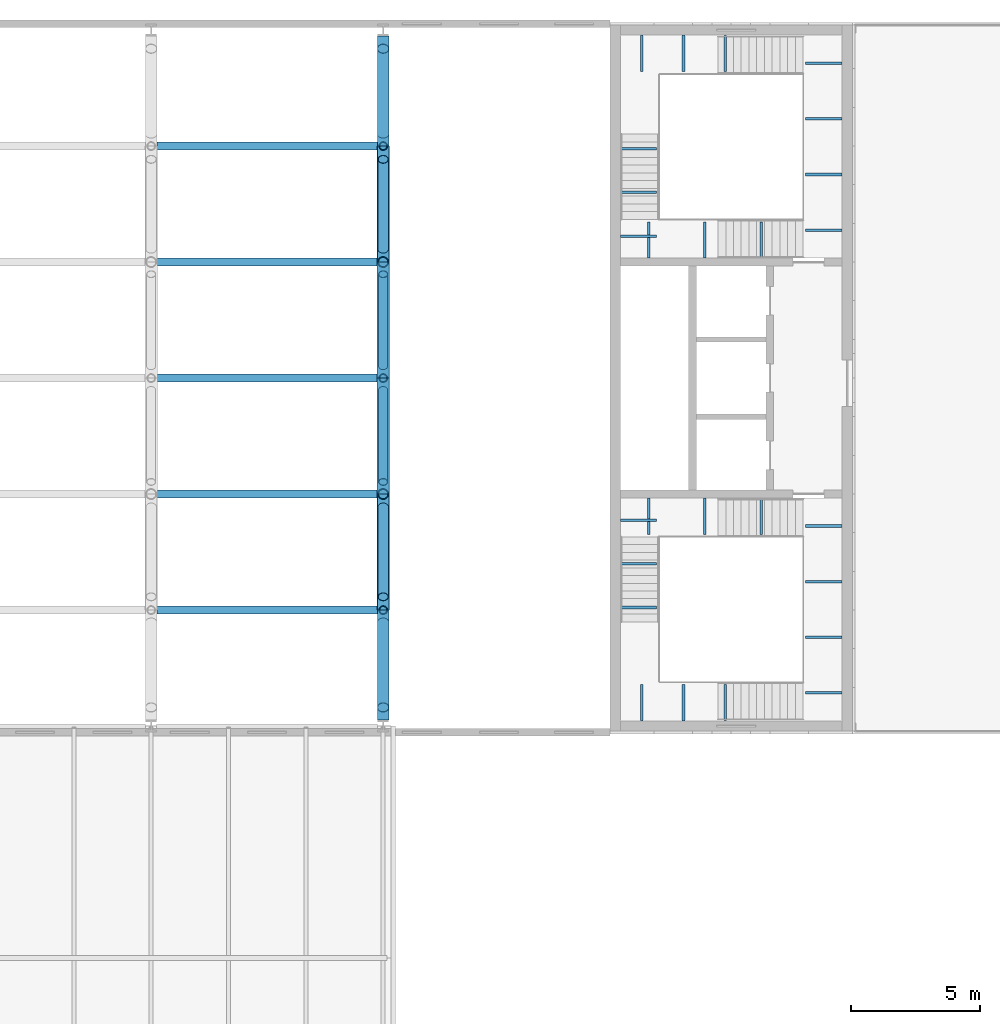
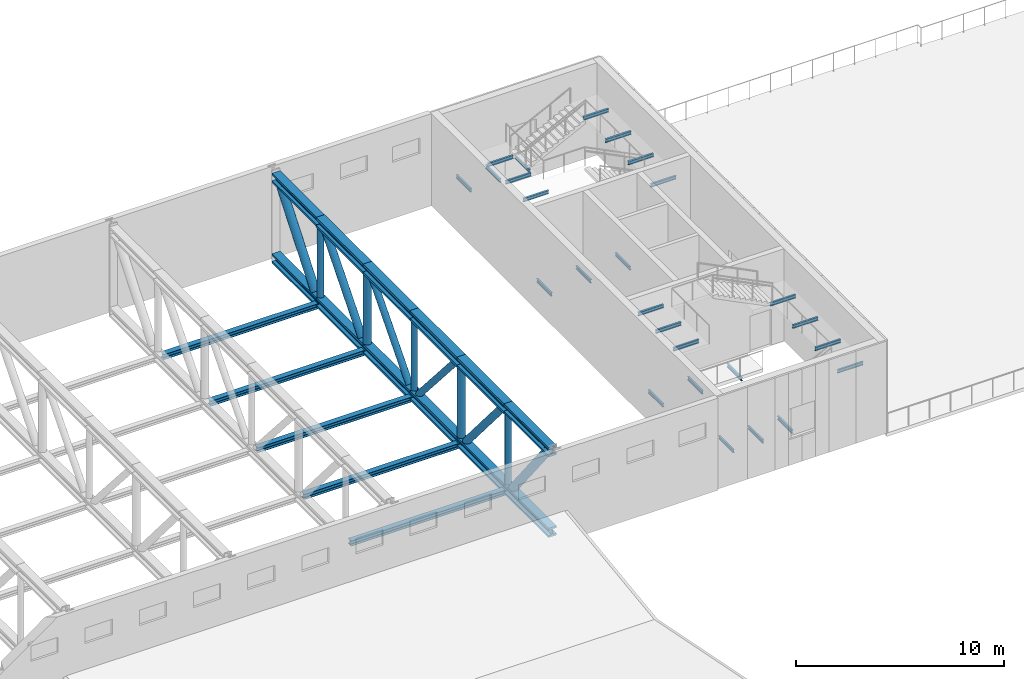
# One storey, part 19 of 29: 43 beams, 11 members.
"""IFC4 building model written with IfcOpenShell, lengths in metres."""

from ifc_helpers import new_model, si_unit, direction, frame, origin, origin_2d, place, context, subcontext, project, spatial, hollow_circle, i_section, extrude, material, material_profile, profile_set, type_object, element, save


model = new_model("IFC4")

# Units and contexts
model_context = context("Model", 3, precision=1e-05, world=origin(), true_north=direction((0.0, 1.0)))
body_context = subcontext(model_context, "Body", "Model", "MODEL_VIEW")
ifc_project = project(units=[si_unit("LENGTHUNIT", "METRE"), si_unit("AREAUNIT", "SQUARE_METRE"), si_unit("VOLUMEUNIT", "CUBIC_METRE"), si_unit("PLANEANGLEUNIT", "RADIAN"), si_unit("MASSUNIT", "GRAM", prefix="KILO")], contexts=[model_context])

# Site, building, storey
site_placement = place(None, origin())
site = spatial("IfcSite", under=ifc_project, at=site_placement, CompositionType="ELEMENT")
building_placement = place(site_placement, origin())
building = spatial("IfcBuilding", under=site, at=building_placement, Name="Azimuth Sports and Learning Centre", CompositionType="ELEMENT")
storey_placement = place(building_placement, frame((0.0, 0.0, 27.0)))
storey = spatial("IfcBuildingStorey", under=building, at=storey_placement, Name="L05", CompositionType="ELEMENT", Elevation=27.0)

# Beams
ifc_material_1 = material(Name="Steel S355", Category="steel")
ifc_material_profile_1 = material_profile(ifc_material_1, i_section(OverallWidth=0.300048828125, OverallDepth=0.300048828125, WebThickness=0.010986328125, FlangeThickness=0.01904296875, FilletRadius=0.027099609375, at=origin_2d()), Name="HEB 300")
ifc_profile_set_1 = profile_set([ifc_material_profile_1], Name="Steel S355")
beam_type_1 = type_object("IfcBeamType", Name="Beam HEB 300", PredefinedType="BEAM", material=ifc_profile_set_1)
beam_1_placement = place(storey_placement, frame((90.22705078125, 94.5, 0.14990234375), z_axis=(1.0, 0.0, 0.0), x_axis=(0.0, 1.0, 0.0)))
element("IfcBeam", 1, at=beam_1_placement, inside=storey, type_object=beam_type_1, Name="Transfer truss bracing strut 3", PredefinedType="BEAM", context=body_context, shape_type="SweptSolid", body=[
    extrude(i_section(OverallWidth=0.300048828125, OverallDepth=0.300048828125, WebThickness=0.010986328125, FlangeThickness=0.01904296875, FilletRadius=0.027099609375, at=origin_2d()), origin(), (0.0, 0.0, 1.0), 8.5458984375),
])
for number, where, z_axis, x_axis, name in (
    (2, (90.235595703125, 99.0, 0.14990234375), (1.0, 0.0, 0.0), (0.0, 1.0, 0.0), "Transfer truss bracing strut 6"),
    (3, (90.235595703125, 103.5, 0.14990234375), (1.0, 0.0, 0.0), (0.0, 1.0, 0.0), "Transfer truss bracing strut 9"),
    (4, (90.235595703125, 108.0, 0.14990234375), (1.0, 0.0, 0.0), (0.0, 1.0, 0.0), "Transfer truss bracing strut 12"),
):
    element("IfcBeam", number, at=place(storey_placement, frame(where, z_axis=z_axis, x_axis=x_axis)), inside=storey, type_object=beam_type_1, Name=name, PredefinedType="BEAM", context=body_context, shape_type="SweptSolid", body=[
        extrude(i_section(OverallWidth=0.300048828125, OverallDepth=0.300048828125, WebThickness=0.010986328125, FlangeThickness=0.01904296875, FilletRadius=0.027099609375, at=origin_2d()), origin(), (0.0, 0.0, 1.0), 8.52880859375),
    ])
beam_2_placement = place(storey_placement, frame((90.22705078125, 112.5, 0.14990234375), z_axis=(1.0, 0.0, 0.0), x_axis=(0.0, 1.0, 0.0)))
element("IfcBeam", 5, at=beam_2_placement, inside=storey, type_object=beam_type_1, Name="Transfer truss bracing strut 15", PredefinedType="BEAM", context=body_context, shape_type="SweptSolid", body=[
    extrude(i_section(OverallWidth=0.300048828125, OverallDepth=0.300048828125, WebThickness=0.010986328125, FlangeThickness=0.01904296875, FilletRadius=0.027099609375, at=origin_2d()), origin(), (0.0, 0.0, 1.0), 8.5458984375),
])
ifc_material_2 = material(Name="Steel S355", Category="steel")
ifc_material_profile_2 = material_profile(ifc_material_2, i_section(OverallWidth=0.10009765625, OverallDepth=0.199951171875, WebThickness=0.005615234375, FlangeThickness=0.008544921875, FilletRadius=0.011962890625, at=origin_2d()), Name="IPE 200")
ifc_profile_set_2 = profile_set([ifc_material_profile_2], Name="Steel S355")
beam_type_2 = type_object("IfcBeamType", Name="Beam IPE 200", PredefinedType="BEAM", material=ifc_profile_set_2)
for number, where, z_axis, x_axis, name in (
    (6, (109.300048828125, 98.85009765625, -0.300048828125), (0.0, -1.0, 0.0), (1.0, 0.0, 0.0), "Landing bracket E1 L05 402"),
    (7, (111.47998046875, 98.85009765625, -0.300048828125), (0.0, -1.0, 0.0), (1.0, 0.0, 0.0), "Landing bracket E1 L05 403"),
    (8, (113.659912109375, 98.85009765625, -0.300048828125), (0.0, -1.0, 0.0), (1.0, 0.0, 0.0), "Landing bracket E1 L05 404"),
    (9, (109.0234375, 90.199951171875, 1.5), (0.0, 1.0, 0.0), (-1.0, 0.0, 0.0), "Landing bracket E1 L05 405"),
    (10, (110.64990234375, 90.199951171875, 1.5), (0.0, 1.0, 0.0), (-1.0, 0.0, 0.0), "Landing bracket E1 L05 406"),
    (11, (112.276611328125, 90.199951171875, 1.5), (0.0, 1.0, 0.0), (-1.0, 0.0, 0.0), "Landing bracket E1 L05 407"),
    (12, (116.800048828125, 91.288818359375, 3.300048828125), (-1.0, 0.0, 0.0), (0.0, -1.0, 0.0), "Landing bracket E1 L05 408"),
    (13, (116.800048828125, 93.4462890625, 3.300048828125), (-1.0, 0.0, 0.0), (0.0, -1.0, 0.0), "Landing bracket E1 L05 409"),
    (14, (116.800048828125, 95.603759765625, 3.300048828125), (-1.0, 0.0, 0.0), (0.0, -1.0, 0.0), "Landing bracket E1 L05 410"),
    (15, (116.800048828125, 97.76123046875, 3.300048828125), (-1.0, 0.0, 0.0), (0.0, -1.0, 0.0), "Landing bracket E1 L05 411"),
    (16, (108.199951171875, 94.598388671875, 5.10009765625), (1.0, 0.0, 0.0), (0.0, 1.0, 0.0), "Landing bracket E1 L05 412"),
    (17, (108.199951171875, 96.294921875, 5.10009765625), (1.0, 0.0, 0.0), (0.0, 1.0, 0.0), "Landing bracket E1 L05 413"),
    (18, (108.199951171875, 97.99169921875, 5.10009765625), (1.0, 0.0, 0.0), (0.0, 1.0, 0.0), "Landing bracket E1 L05 414"),
    (19, (109.300048828125, 108.14990234375, -0.300048828125), (0.0, 1.0, 0.0), (-1.0, 0.0, 0.0), "Landing bracket E2 L05 580"),
    (20, (111.47998046875, 108.14990234375, -0.300048828125), (0.0, 1.0, 0.0), (-1.0, 0.0, 0.0), "Landing bracket E2 L05 581"),
    (21, (113.659912109375, 108.14990234375, -0.300048828125), (0.0, 1.0, 0.0), (-1.0, 0.0, 0.0), "Landing bracket E2 L05 582"),
    (22, (109.0234375, 116.800048828125, 1.5), (0.0, -1.0, 0.0), (1.0, 0.0, 0.0), "Landing bracket E2 L05 583"),
    (23, (110.64990234375, 116.800048828125, 1.5), (0.0, -1.0, 0.0), (1.0, 0.0, 0.0), "Landing bracket E2 L05 584"),
    (24, (112.276611328125, 116.800048828125, 1.5), (0.0, -1.0, 0.0), (1.0, 0.0, 0.0), "Landing bracket E2 L05 585"),
    (25, (116.800048828125, 109.23876953125, 3.300048828125), (-1.0, 0.0, 0.0), (0.0, -1.0, 0.0), "Landing bracket E2 L05 586"),
    (26, (116.800048828125, 111.396240234375, 3.300048828125), (-1.0, 0.0, 0.0), (0.0, -1.0, 0.0), "Landing bracket E2 L05 587"),
    (27, (116.800048828125, 113.5537109375, 3.300048828125), (-1.0, 0.0, 0.0), (0.0, -1.0, 0.0), "Landing bracket E2 L05 588"),
    (28, (116.800048828125, 115.711181640625, 3.300048828125), (-1.0, 0.0, 0.0), (0.0, -1.0, 0.0), "Landing bracket E2 L05 589"),
    (29, (108.199951171875, 109.00830078125, 5.10009765625), (1.0, 0.0, 0.0), (0.0, 1.0, 0.0), "Landing bracket E2 L05 590"),
    (30, (108.199951171875, 110.705078125, 5.10009765625), (1.0, 0.0, 0.0), (0.0, 1.0, 0.0), "Landing bracket E2 L05 591"),
    (31, (108.199951171875, 112.401611328125, 5.10009765625), (1.0, 0.0, 0.0), (0.0, 1.0, 0.0), "Landing bracket E2 L05 592"),
):
    element("IfcBeam", number, at=place(storey_placement, frame(where, z_axis=z_axis, x_axis=x_axis)), inside=storey, type_object=beam_type_2, Name=name, PredefinedType="BEAM", context=body_context, shape_type="SweptSolid", body=[
        extrude(i_section(OverallWidth=0.10009765625, OverallDepth=0.199951171875, WebThickness=0.005615234375, FlangeThickness=0.008544921875, FilletRadius=0.011962890625, at=origin_2d()), origin(), (0.0, 0.0, 1.0), 1.41015625),
    ])
ifc_material_3 = material(Name="Steel S460", Category="steel")
ifc_material_profile_3 = material_profile(ifc_material_3, i_section(OverallWidth=0.4541015625, OverallDepth=0.569091796875, WebThickness=0.077880859375, FlangeThickness=0.125, FilletRadius=0.014892578125, at=origin_2d()), Name="HD 400x1086")
ifc_profile_set_3 = profile_set([ifc_material_profile_3], Name="Steel S460")
beam_type_3 = type_object("IfcBeamType", Name="Truss chord HD 400x1086", PredefinedType="USERDEFINED", material=ifc_profile_set_3)
for number, where, z_axis, x_axis, name in (
    (32, (99.0, 94.5, 0.284423828125), (0.0, 1.0, 0.0), (-1.0, 0.0, 0.0), "Transfer truss TT-4 bottom chord 2"),
    (33, (99.0, 108.0, 0.284423828125), (0.0, 1.0, 0.0), (-1.0, 0.0, 0.0), "Transfer truss TT-4 bottom chord 5"),
):
    element("IfcBeam", number, at=place(storey_placement, frame(where, z_axis=z_axis, x_axis=x_axis)), inside=storey, type_object=beam_type_3, Name=name, ObjectType="TRUSS CHORD", PredefinedType="USERDEFINED", context=body_context, shape_type="SweptSolid", body=[
        extrude(i_section(OverallWidth=0.4541015625, OverallDepth=0.569091796875, WebThickness=0.077880859375, FlangeThickness=0.125, FilletRadius=0.014892578125, at=origin_2d()), origin(), (0.0, 0.0, 1.0), 4.5),
    ])
ifc_material_4 = material(Name="Steel S460", Category="steel")
ifc_material_profile_4 = material_profile(ifc_material_4, i_section(OverallWidth=0.470947265625, OverallDepth=0.580078125, WebThickness=0.094970703125, FlangeThickness=0.1298828125, FilletRadius=0.014892578125, at=origin_2d()), Name="HD 400x1202")
ifc_profile_set_4 = profile_set([ifc_material_profile_4], Name="Steel S460")
beam_type_4 = type_object("IfcBeamType", Name="Truss chord HD 400x1202", PredefinedType="USERDEFINED", material=ifc_profile_set_4)
for number, where, z_axis, x_axis, name in (
    (34, (99.0, 99.0, 0.2900390625), (0.0, 1.0, 0.0), (-1.0, 0.0, 0.0), "Transfer truss TT-4 bottom chord 3"),
    (35, (99.0, 103.5, 0.2900390625), (0.0, 1.0, 0.0), (-1.0, 0.0, 0.0), "Transfer truss TT-4 bottom chord 4"),
):
    element("IfcBeam", number, at=place(storey_placement, frame(where, z_axis=z_axis, x_axis=x_axis)), inside=storey, type_object=beam_type_4, Name=name, ObjectType="TRUSS CHORD", PredefinedType="USERDEFINED", context=body_context, shape_type="SweptSolid", body=[
        extrude(i_section(OverallWidth=0.470947265625, OverallDepth=0.580078125, WebThickness=0.094970703125, FlangeThickness=0.1298828125, FilletRadius=0.014892578125, at=origin_2d()), origin(), (0.0, 0.0, 1.0), 4.5),
    ])
ifc_material_5 = material(Name="Steel S460", Category="steel")
ifc_material_profile_5 = material_profile(ifc_material_5, i_section(OverallWidth=0.47607421875, OverallDepth=0.60009765625, WebThickness=0.10009765625, FlangeThickness=0.139892578125, FilletRadius=0.014892578125, at=origin_2d()), Name="HD 400x1299")
ifc_profile_set_5 = profile_set([ifc_material_profile_5], Name="Steel S460")
beam_type_5 = type_object("IfcBeamType", Name="Truss chord HD 400x1299", PredefinedType="USERDEFINED", material=ifc_profile_set_5)
for number, where, z_axis, x_axis, name in (
    (36, (99.0, 94.5, 4.969970703125), (0.0, 1.0, 0.0), (-1.0, 0.0, 0.0), "Transfer truss TT-4 top chord 2"),
    (37, (99.0, 99.0, 4.969970703125), (0.0, 1.0, 0.0), (-1.0, 0.0, 0.0), "Transfer truss TT-4 top chord 3"),
    (38, (99.0, 103.5, 4.969970703125), (0.0, 1.0, 0.0), (-1.0, 0.0, 0.0), "Transfer truss TT-4 top chord 4"),
    (39, (99.0, 108.0, 4.969970703125), (0.0, 1.0, 0.0), (-1.0, 0.0, 0.0), "Transfer truss TT-4 top chord 5"),
):
    element("IfcBeam", number, at=place(storey_placement, frame(where, z_axis=z_axis, x_axis=x_axis)), inside=storey, type_object=beam_type_5, Name=name, ObjectType="TRUSS CHORD", PredefinedType="USERDEFINED", context=body_context, shape_type="SweptSolid", body=[
        extrude(i_section(OverallWidth=0.47607421875, OverallDepth=0.60009765625, WebThickness=0.10009765625, FlangeThickness=0.139892578125, FilletRadius=0.014892578125, at=origin_2d()), origin(), (0.0, 0.0, 1.0), 4.5),
    ])
ifc_material_6 = material(Name="Steel S460", Category="steel")
ifc_material_profile_6 = material_profile(ifc_material_6, i_section(OverallWidth=0.447998046875, OverallDepth=0.550048828125, WebThickness=0.072021484375, FlangeThickness=0.114990234375, FilletRadius=0.014892578125, at=origin_2d()), Name="HD 400x990")
ifc_profile_set_6 = profile_set([ifc_material_profile_6], Name="Steel S460")
beam_type_6 = type_object("IfcBeamType", Name="Truss chord HD 400x990", PredefinedType="USERDEFINED", material=ifc_profile_set_6)
for number, where, z_axis, x_axis, name in (
    (40, (99.0, 90.237060546875, 4.9951171875), (0.0, 1.0, 0.0), (-1.0, 0.0, 0.0), "Transfer truss TT-4 top chord 1"),
    (41, (99.0, 90.237060546875, 0.27490234375), (0.0, 1.0, 0.0), (-1.0, 0.0, 0.0), "Transfer truss TT-4 bottom chord 1"),
    (42, (99.0, 112.5, 4.9951171875), (0.0, 1.0, 0.0), (-1.0, 0.0, 0.0), "Transfer truss TT-4 top chord 6"),
    (43, (99.0, 112.5, 0.27490234375), (0.0, 1.0, 0.0), (-1.0, 0.0, 0.0), "Transfer truss TT-4 bottom chord 6"),
):
    element("IfcBeam", number, at=place(storey_placement, frame(where, z_axis=z_axis, x_axis=x_axis)), inside=storey, type_object=beam_type_6, Name=name, ObjectType="TRUSS CHORD", PredefinedType="USERDEFINED", context=body_context, shape_type="SweptSolid", body=[
        extrude(i_section(OverallWidth=0.447998046875, OverallDepth=0.550048828125, WebThickness=0.072021484375, FlangeThickness=0.114990234375, FilletRadius=0.014892578125, at=origin_2d()), origin(), (0.0, 0.0, 1.0), 4.262939453125),
    ])

# Members
ifc_material_7 = material(Name="Steel S355", Category="steel")
ifc_material_profile_7 = material_profile(ifc_material_7, hollow_circle(Radius=0.177734375, WallThickness=0.01611328125, at=origin_2d()), Name="CHS 355.6x16.0")
ifc_profile_set_7 = profile_set([ifc_material_profile_7], Name="Steel S355")
member_type_1 = type_object("IfcMemberType", Name="Truss diagonal CHS 355.6x16.0", PredefinedType="BRACE", material=ifc_profile_set_7)
for number, where, z_axis, x_axis, name in (
    (44, (99.0, 99.471435546875, 4.669921875), (0.0, 0.657152899094, -0.75375729994), (-1.0, 0.0, 0.0), "Transfer truss TT-4 diagonal 3"),
    (45, (99.0, 107.528564453125, 4.669921875), (0.0, -0.657152899094, -0.75375729994), (1.0, 0.0, 0.0), "Transfer truss TT-4 diagonal 4"),
):
    element("IfcMember", number, at=place(storey_placement, frame(where, z_axis=z_axis, x_axis=x_axis)), inside=storey, type_object=member_type_1, Name=name, PredefinedType="BRACE", context=body_context, shape_type="SweptSolid", body=[
        extrude(hollow_circle(Radius=0.177734375, WallThickness=0.01611328125, at=origin_2d()), origin(), (0.0, 0.0, 1.0), 5.426025390625),
    ])
ifc_material_8 = material(Name="Steel S355", Category="steel")
ifc_material_profile_8 = material_profile(ifc_material_8, hollow_circle(Radius=0.203125, WallThickness=0.01611328125, at=origin_2d()), Name="CHS 406.4x16.0")
ifc_profile_set_8 = profile_set([ifc_material_profile_8], Name="Steel S355")
member_type_2 = type_object("IfcMemberType", Name="Truss diagonal CHS 406.4x16.0", PredefinedType="BRACE", material=ifc_profile_set_8)
for number, where, z_axis, x_axis, name in (
    (46, (99.0, 95.014892578125, 4.669921875), (0.0, 0.647399452914, -0.76215086982), (-1.0, 0.0, 0.0), "Transfer truss TT-4 diagonal 2"),
    (47, (99.0, 111.985107421875, 4.669921875), (0.0, -0.647399452914, -0.76215086982), (1.0, 0.0, 0.0), "Transfer truss TT-4 diagonal 5"),
):
    element("IfcMember", number, at=place(storey_placement, frame(where, z_axis=z_axis, x_axis=x_axis)), inside=storey, type_object=member_type_2, Name=name, PredefinedType="BRACE", context=body_context, shape_type="SweptSolid", body=[
        extrude(hollow_circle(Radius=0.203125, WallThickness=0.01611328125, at=origin_2d()), origin(), (0.0, 0.0, 1.0), 5.380615234375),
    ])
ifc_material_9 = material(Name="Steel S355", Category="steel")
ifc_material_profile_9 = material_profile(ifc_material_9, hollow_circle(Radius=0.228515625, WallThickness=0.01611328125, at=origin_2d()), Name="CHS 457x16.0")
ifc_profile_set_9 = profile_set([ifc_material_profile_9], Name="Steel S355")
member_type_3 = type_object("IfcMemberType", Name="Truss diagonal CHS 457x16.0", PredefinedType="BRACE", material=ifc_profile_set_9)
for number, where, z_axis, x_axis, name in (
    (48, (99.0, 90.723876953125, 4.719970703125), (0.0, 0.619326776341, -0.785133328873), (-1.0, 0.0, 0.0), "Transfer truss TT-4 diagonal 1"),
    (49, (99.0, 116.276123046875, 4.719970703125), (0.0, -0.619326776341, -0.785133328873), (1.0, 0.0, 0.0), "Transfer truss TT-4 diagonal 6"),
):
    element("IfcMember", number, at=place(storey_placement, frame(where, z_axis=z_axis, x_axis=x_axis)), inside=storey, type_object=member_type_3, Name=name, PredefinedType="BRACE", context=body_context, shape_type="SweptSolid", body=[
        extrude(hollow_circle(Radius=0.228515625, WallThickness=0.01611328125, at=origin_2d()), origin(), (0.0, 0.0, 1.0), 5.31103515625),
    ])
ifc_material_10 = material(Name="Steel S355", Category="steel")
ifc_material_profile_10 = material_profile(ifc_material_10, hollow_circle(Radius=0.161865234375, WallThickness=0.01611328125, at=origin_2d()), Name="CHS 323.9x16.0")
ifc_profile_set_10 = profile_set([ifc_material_profile_10], Name="Steel S355")
member_type_4 = type_object("IfcMemberType", Name="Truss post CHS 323.9x16.0", PredefinedType="POST", material=ifc_profile_set_10)
member_1_placement = place(storey_placement, frame((99.0, 94.5, 0.550048828125), z_axis=(0.0, 0.0, 1.0), x_axis=(1.0, 0.0, 0.0)))
element("IfcMember", 50, at=member_1_placement, inside=storey, type_object=member_type_4, Name="Transfer truss TT-4 post 1", PredefinedType="POST", context=body_context, shape_type="SweptSolid", body=[
    extrude(hollow_circle(Radius=0.161865234375, WallThickness=0.01611328125, at=origin_2d()), origin(), (0.0, 0.0, 1.0), 4.169921875),
])
member_2_placement = place(storey_placement, frame((99.0, 103.5, 0.580078125), z_axis=(0.0, 0.0, 1.0), x_axis=(1.0, 0.0, 0.0)))
element("IfcMember", 51, at=member_2_placement, inside=storey, type_object=member_type_4, Name="Transfer truss TT-4 post 3", PredefinedType="POST", context=body_context, shape_type="SweptSolid", body=[
    extrude(hollow_circle(Radius=0.161865234375, WallThickness=0.01611328125, at=origin_2d()), origin(), (0.0, 0.0, 1.0), 4.08984375),
])
member_3_placement = place(storey_placement, frame((99.0, 112.5, 0.550048828125), z_axis=(0.0, 0.0, 1.0), x_axis=(1.0, 0.0, 0.0)))
element("IfcMember", 52, at=member_3_placement, inside=storey, type_object=member_type_4, Name="Transfer truss TT-4 post 5", PredefinedType="POST", context=body_context, shape_type="SweptSolid", body=[
    extrude(hollow_circle(Radius=0.161865234375, WallThickness=0.01611328125, at=origin_2d()), origin(), (0.0, 0.0, 1.0), 4.169921875),
])
ifc_material_11 = material(Name="Steel S355", Category="steel")
ifc_material_profile_11 = material_profile(ifc_material_11, hollow_circle(Radius=0.203125, WallThickness=0.01611328125, at=origin_2d()), Name="CHS 406.4x16.0")
ifc_profile_set_11 = profile_set([ifc_material_profile_11], Name="Steel S355")
member_type_5 = type_object("IfcMemberType", Name="Truss post CHS 406.4x16.0", PredefinedType="POST", material=ifc_profile_set_11)
for number, where, z_axis, x_axis, name in (
    (53, (99.0, 99.0, 0.569091796875), (0.0, 0.0, 1.0), (1.0, 0.0, 0.0), "Transfer truss TT-4 post 2"),
    (54, (99.0, 108.0, 0.569091796875), (0.0, 0.0, 1.0), (1.0, 0.0, 0.0), "Transfer truss TT-4 post 4"),
):
    element("IfcMember", number, at=place(storey_placement, frame(where, z_axis=z_axis, x_axis=x_axis)), inside=storey, type_object=member_type_5, Name=name, PredefinedType="POST", context=body_context, shape_type="SweptSolid", body=[
        extrude(hollow_circle(Radius=0.203125, WallThickness=0.01611328125, at=origin_2d()), origin(), (0.0, 0.0, 1.0), 4.100830078125),
    ])

save(model, "model.ifc")
